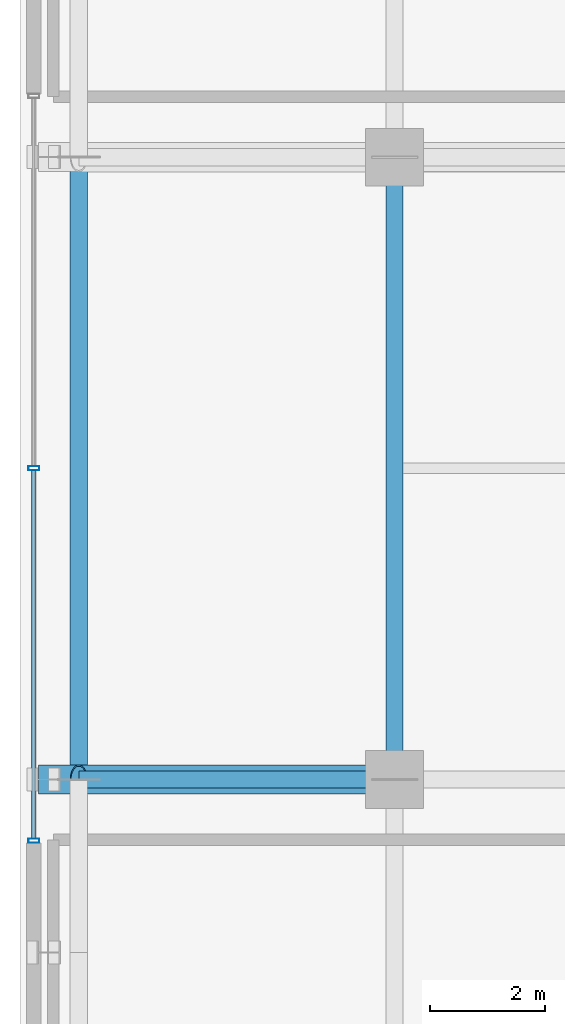
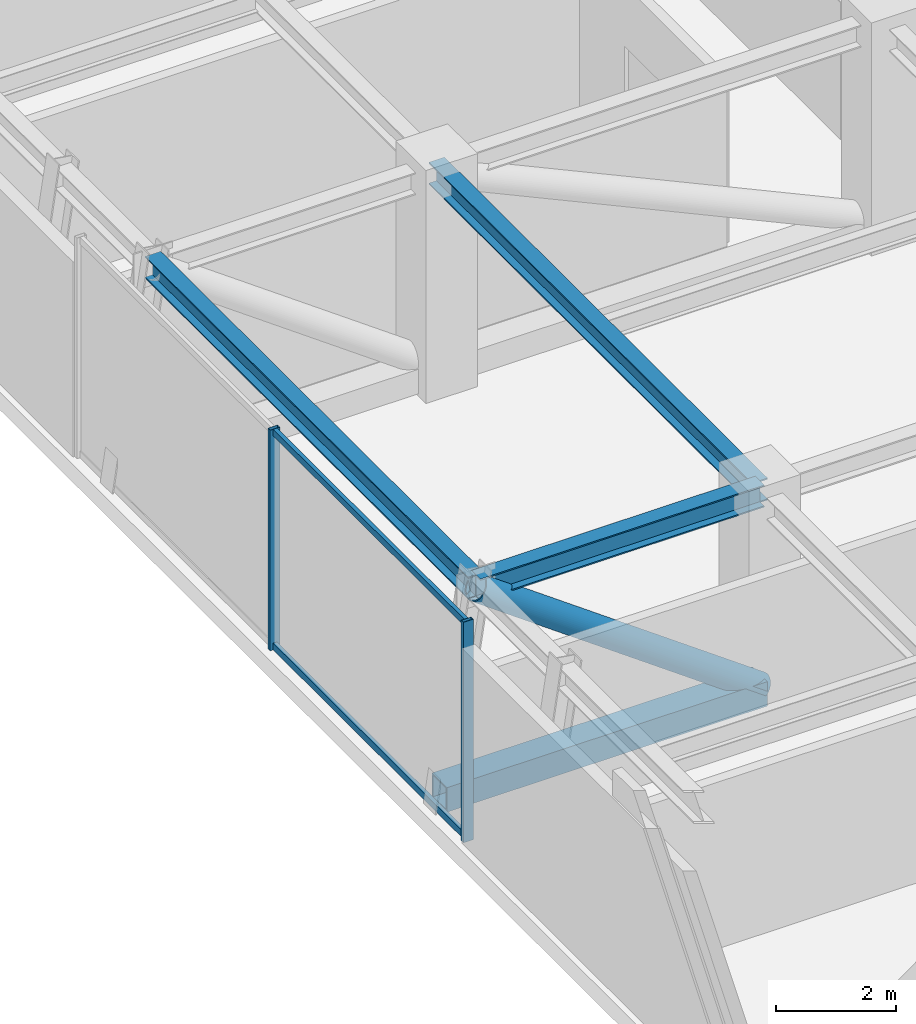
# One storey, part 2 of 15: 6 members, 3 beams, 1 element without a shape of its own.
"""IFC4 building model written with IfcOpenShell, lengths in metres."""

import ifcopenshell
import ifcopenshell.guid

model = None  # the IFC model being written
_history = None  # IfcOwnerHistory: only IFC2X3 demands one
_inside = {}  # id of a spatial element -> (the spatial element, [elements in it])
_under = {}  # id of a project, library or spatial element -> (it, [spatial elements below it])
_declared = {}  # id of a project -> (the project, [libraries it declares])
_typed = {}  # id of a type object -> (the type object, [elements of that type])
_made_of = {}  # id of a material, layer set ... -> (it, [elements and type objects made of it])


def new_model(schema):
    """Start an empty IFC model of exactly this schema.

    Asked for "IFC4X3", IfcOpenShell would pick the latest addendum, in which some entities
    have other attributes; the version numbers below select the first issue.
    IFC2X3 requires an IfcOwnerHistory on every rooted entity: one is made here for all.
    """
    global model, _history
    if schema == "IFC4X3":
        model = ifcopenshell.file(schema_version=(4, 3, 0, 0))
    else:
        model = ifcopenshell.file(schema=schema)
    _inside.clear()
    _under.clear()
    _declared.clear()
    _typed.clear()
    _made_of.clear()
    _history = None
    if model.schema == "IFC2X3":
        org = make("IfcOrganization", Name="unknown")
        user = make(
            "IfcPersonAndOrganization",
            ThePerson=make("IfcPerson", FamilyName="unknown"),
            TheOrganization=org,
        )
        app = make(
            "IfcApplication",
            ApplicationDeveloper=org,
            Version="unknown",
            ApplicationFullName="unknown",
            ApplicationIdentifier="unknown",
        )
        _history = make(
            "IfcOwnerHistory",
            OwningUser=user,
            OwningApplication=app,
            ChangeAction="ADDED",
            CreationDate=0,
        )
    return model


def make(cls, **values):
    """One entity of the class cls with the attributes given. An attribute that is None is left unset."""
    return model.create_entity(
        cls, **{name: value for name, value in values.items() if value is not None}
    )


def rooted(cls, **values):
    """An entity with a GlobalId (a new one), such as an element, a storey or a relation."""
    return make(cls, GlobalId=ifcopenshell.guid.new(), OwnerHistory=_history, **values)


def si_unit(unit_type, name, prefix=None):
    """IfcSIUnit, for example si_unit("LENGTHUNIT", "METRE", prefix="MILLI")."""
    return make("IfcSIUnit", UnitType=unit_type, Prefix=prefix, Name=name)


def assignment(units):
    """IfcUnitAssignment: the units of a project."""
    return None if units is None else make("IfcUnitAssignment", Units=units)


def point(xyz):
    """IfcCartesianPoint."""
    return None if xyz is None else make("IfcCartesianPoint", Coordinates=xyz)


def direction(xyz):
    """IfcDirection."""
    return None if xyz is None else make("IfcDirection", DirectionRatios=xyz)


def frame(location, z_axis=None, x_axis=None):
    """IfcAxis2Placement3D, a coordinate frame: its origin and axes. An axis left out is left unset."""
    return make(
        "IfcAxis2Placement3D",
        Location=point(location),
        Axis=direction(z_axis),
        RefDirection=direction(x_axis),
    )


def frame_2d(location, x_axis=None):
    """IfcAxis2Placement2D, a coordinate frame in the plane: its origin and x axis."""
    return make(
        "IfcAxis2Placement2D", Location=point(location), RefDirection=direction(x_axis)
    )


def origin():
    """The frame at (0, 0, 0) with its axes left unset."""
    return frame((0.0, 0.0, 0.0))


def origin_2d():
    """The frame at (0, 0) in the plane with its x axis left unset."""
    return frame_2d((0.0, 0.0))


def place(relative_to, where):
    """IfcLocalPlacement: puts the frame where relative to a parent placement (None: the world)."""
    return make(
        "IfcLocalPlacement", PlacementRelTo=relative_to, RelativePlacement=where
    )


def context(
    kind, dimensions, precision=None, world=None, true_north=None, identifier=None
):
    """IfcGeometricRepresentationContext, for example the 3D "Model" context."""
    return make(
        "IfcGeometricRepresentationContext",
        ContextIdentifier=identifier,
        ContextType=kind,
        CoordinateSpaceDimension=dimensions,
        Precision=precision,
        WorldCoordinateSystem=world,
        TrueNorth=true_north,
    )


def subcontext(parent, identifier, kind, view, scale=None):
    """IfcGeometricRepresentationSubContext, for example "Body" below "Model"."""
    return make(
        "IfcGeometricRepresentationSubContext",
        ContextIdentifier=identifier,
        ContextType=kind,
        ParentContext=parent,
        TargetScale=scale,
        TargetView=view,
    )


def project(units=None, contexts=None):
    """IfcProject with its units and contexts."""
    return rooted(
        "IfcProject",
        Name="project",
        RepresentationContexts=contexts,
        UnitsInContext=assignment(units),
    )


def spatial(cls, under=None, at=None, **own):
    """A site, building, storey or space (cls), placed at a placement, below another one or the project."""
    s = rooted(cls, ObjectPlacement=at, **own)
    if under is not None:
        _under.setdefault(under.id(), (under, []))[1].append(s)
    return s


def profile(cls, at=None, kind="AREA", **sizes):
    """A parametric profile (cls). Its sizes go by their IFC names, for example OverallWidth=200.0."""
    return make(cls, ProfileType=kind, Position=at, **sizes)


def hollow_rectangle(**sizes):
    """IfcRectangleHollowProfileDef."""
    return profile("IfcRectangleHollowProfileDef", **sizes)


def hollow_circle(**sizes):
    """IfcCircleHollowProfileDef."""
    return profile("IfcCircleHollowProfileDef", **sizes)


def i_section(**sizes):
    """IfcIShapeProfileDef."""
    return profile("IfcIShapeProfileDef", **sizes)


def extrude(swept, where, along, depth):
    """IfcExtrudedAreaSolid: the profile swept, set in the frame where, extruded along a direction by depth."""
    return make(
        "IfcExtrudedAreaSolid",
        SweptArea=swept,
        Position=where,
        ExtrudedDirection=direction(along),
        Depth=depth,
    )


def shape(context_of_items, identifier, shape_type, items):
    """IfcShapeRepresentation: the items that make up one representation, for example the "Body"."""
    return make(
        "IfcShapeRepresentation",
        ContextOfItems=context_of_items,
        RepresentationIdentifier=identifier,
        RepresentationType=shape_type,
        Items=items,
    )


def source(mapping_origin, context_of_items, identifier, shape_type, items):
    """IfcRepresentationMap: a shape defined once, which mapped items show again and again."""
    return make(
        "IfcRepresentationMap",
        MappingOrigin=mapping_origin,
        MappedRepresentation=shape(context_of_items, identifier, shape_type, items),
    )


def transform(
    local_origin,
    x_axis=None,
    y_axis=None,
    z_axis=None,
    scale=None,
    scale2=None,
    scale3=None,
    uniform=True,
):
    """IfcCartesianTransformationOperator3D, or its non-uniform kind. x_axis, y_axis, z_axis: its Axis1, 2, 3."""
    if uniform:
        return make(
            "IfcCartesianTransformationOperator3D",
            Axis1=direction(x_axis),
            Axis2=direction(y_axis),
            LocalOrigin=point(local_origin),
            Scale=scale,
            Axis3=direction(z_axis),
        )
    return make(
        "IfcCartesianTransformationOperator3DnonUniform",
        Axis1=direction(x_axis),
        Axis2=direction(y_axis),
        LocalOrigin=point(local_origin),
        Scale=scale,
        Axis3=direction(z_axis),
        Scale2=scale2,
        Scale3=scale3,
    )


def mapped(mapping_source, mapping_target):
    """IfcMappedItem: shows the shape of a source again, moved by a transform."""
    return make(
        "IfcMappedItem", MappingSource=mapping_source, MappingTarget=mapping_target
    )


def material(Name=None, Category=None):
    """IfcMaterial."""
    return make("IfcMaterial", Name=Name, Category=Category)


def material_profile(
    of_material, cross_section, Name=None, Category=None, Priority=None
):
    """IfcMaterialProfile: a cross section and its material."""
    return make(
        "IfcMaterialProfile",
        Name=Name,
        Material=of_material,
        Profile=cross_section,
        Priority=Priority,
        Category=Category,
    )


def profile_set(profiles, Name=None, composite=None):
    """IfcMaterialProfileSet."""
    return make(
        "IfcMaterialProfileSet",
        Name=Name,
        MaterialProfiles=profiles,
        CompositeProfile=composite,
    )


def made_of(thing, what):
    """Note that an element or type object is made of a material, layer set ...; save() writes the relation."""
    if what is not None:
        _made_of.setdefault(what.id(), (what, []))[1].append(thing)
    return thing


def type_object(cls, material=None, **own):
    """A type object (cls), such as IfcWallType, which elements share."""
    return made_of(rooted(cls, **own), material)


def element(
    cls,
    number,
    at=None,
    inside=None,
    cuts=None,
    type_object=None,
    material=None,
    context=None,
    identifier="Body",
    shape_type=None,
    held_by="IfcProductDefinitionShape",
    body=None,
    shapes=None,
    **own,
):
    """One element of the class cls, such as IfcWall. Its Tag is "e" and its number.

    at: its placement. inside: the storey or other place that contains it. cuts: it is an
    opening in that element (IfcRelVoidsElement). A single representation is given by context,
    identifier, shape_type and body (its items); several are given by shapes. held_by: the class
    of the entity that holds the representations. save() writes the other relations.
    """
    e = rooted(cls, Tag="e%d" % number, ObjectPlacement=at, **own)
    if body is not None:
        shapes = [shape(context, identifier, shape_type, body)]
    if shapes is not None:
        e.Representation = make(held_by, Representations=shapes)
    if inside is not None:
        _inside.setdefault(inside.id(), (inside, []))[1].append(e)
    if cuts is not None:
        rooted(
            "IfcRelVoidsElement", RelatingBuildingElement=cuts, RelatedOpeningElement=e
        )
    if type_object is not None:
        _typed.setdefault(type_object.id(), (type_object, []))[1].append(e)
    return made_of(e, material)


def aggregate(whole, parts):
    """IfcRelAggregates: a whole, such as a stair, and the parts it consists of."""
    return rooted("IfcRelAggregates", RelatingObject=whole, RelatedObjects=parts)


def save(model, path):
    """Write the relations noted so far, then the file.

    IfcRelAggregates (storeys below a building ...), IfcRelContainedInSpatialStructure (elements
    in a storey), IfcRelDefinesByType, IfcRelAssociatesMaterial and IfcRelDeclares: one each for
    every whole, place, type object, material and project.
    """
    for whole, parts in _under.values():
        aggregate(whole, parts)
    for where, things in _inside.values():
        rooted(
            "IfcRelContainedInSpatialStructure",
            RelatedElements=things,
            RelatingStructure=where,
        )
    for kind, things in _typed.values():
        rooted("IfcRelDefinesByType", RelatedObjects=things, RelatingType=kind)
    for what, things in _made_of.values():
        rooted("IfcRelAssociatesMaterial", RelatedObjects=things, RelatingMaterial=what)
    for by, libraries in _declared.values():
        rooted("IfcRelDeclares", RelatingContext=by, RelatedDefinitions=libraries)
    model.write(path)


model = new_model("IFC4")

# Units and contexts
model_context = context("Model", 3, precision=1e-05, world=origin(), true_north=direction((0.0, 1.0)))
body_context = subcontext(model_context, "Body", "Model", "MODEL_VIEW")
ifc_project = project(units=[si_unit("LENGTHUNIT", "METRE"), si_unit("AREAUNIT", "SQUARE_METRE"), si_unit("VOLUMEUNIT", "CUBIC_METRE"), si_unit("PLANEANGLEUNIT", "RADIAN"), si_unit("MASSUNIT", "GRAM", prefix="KILO")], contexts=[model_context])

# Site, building, storey
site_placement = place(None, origin())
site = spatial("IfcSite", under=ifc_project, at=site_placement, CompositionType="ELEMENT")
building_placement = place(site_placement, origin())
building = spatial("IfcBuilding", under=site, at=building_placement, Name="Nahalor Promenade Grand Hotel", CompositionType="ELEMENT")
storey_placement = place(building_placement, frame((0.0, 0.0, 261.5)))
storey = spatial("IfcBuildingStorey", under=building, at=storey_placement, Name="L67", CompositionType="ELEMENT", Elevation=261.5)

# Beams
ifc_material_1 = material(Name="Steel S355JR", Category="steel")
ifc_material_profile_1 = material_profile(ifc_material_1, i_section(OverallWidth=0.3, OverallDepth=0.45, WebThickness=0.014, FlangeThickness=0.026, at=origin_2d()), Name="HEB 450")
ifc_profile_set_1 = profile_set([ifc_material_profile_1], Name="Steel S355JR")
beam_type_1 = type_object("IfcBeamType", Name="Beam-Spandrel-HEB450", PredefinedType="SPANDREL", material=ifc_profile_set_1)
shared_shape_1 = source(origin(), body_context, "Body", "SweptSolid", [
    extrude(i_section(OverallWidth=0.3, OverallDepth=0.45, WebThickness=0.014, FlangeThickness=0.026, at=origin_2d()), origin(), (0.0, 0.0, 1.0), 10.7998046875),
])
beam_1_placement = place(storey_placement, frame((-22.47998046875, -5.39990234375, 4.27490234375), z_axis=(0.0, 1.0, 0.0), x_axis=(-1.0, 0.0, 0.0)))
element("IfcBeam", 1, at=beam_1_placement, inside=storey, type_object=beam_type_1, Name="BM-L67-SP-W-2", PredefinedType="SPANDREL", context=body_context, shape_type="MappedRepresentation", body=[
    mapped(shared_shape_1, transform((0.0, 0.0, 0.0), scale=1.0)),
])
ifc_material_profile_2 = material_profile(ifc_material_1, i_section(OverallWidth=0.3, OverallDepth=0.45, WebThickness=0.014, FlangeThickness=0.026, at=origin_2d()), Name="HEB 450")
ifc_profile_set_2 = profile_set([ifc_material_profile_2], Name="Steel S355JR")
beam_type_2 = type_object("IfcBeamType", Name="Beam-Girder-HEB450", PredefinedType="BEAM", material=ifc_profile_set_2)
shared_shape_2 = source(origin(), body_context, "Body", "SweptSolid", [
    extrude(i_section(OverallWidth=0.3, OverallDepth=0.45, WebThickness=0.014, FlangeThickness=0.026, at=origin_2d()), origin(), (0.0, 0.0, 1.0), 10.7998046875),
])
beam_2_placement = place(storey_placement, frame((-17.0, -5.39990234375, 4.27490234375), z_axis=(0.0, 1.0, 0.0), x_axis=(-1.0, 0.0, 0.0)))
element("IfcBeam", 2, at=beam_2_placement, inside=storey, type_object=beam_type_2, Name="BM-L67-GY-0-2", PredefinedType="BEAM", context=body_context, shape_type="MappedRepresentation", body=[
    mapped(shared_shape_2, transform((0.0, 0.0, 0.0), scale=1.0)),
])
shared_shape_3 = source(origin(), body_context, "Body", "SweptSolid", [
    extrude(i_section(OverallWidth=0.3, OverallDepth=0.45, WebThickness=0.014, FlangeThickness=0.026, at=origin_2d()), origin(), (0.0, 0.0, 1.0), 5.47998046875),
])
beam_3_placement = place(storey_placement, frame((-22.47998046875, -5.39990234375, 4.27490234375), z_axis=(1.0, 0.0, 0.0), x_axis=(0.0, 1.0, 0.0)))
element("IfcBeam", 3, at=beam_3_placement, inside=storey, type_object=beam_type_2, Name="BM-L67-GX-1-0", PredefinedType="BEAM", context=body_context, shape_type="MappedRepresentation", body=[
    mapped(shared_shape_3, transform((0.0, 0.0, 0.0), scale=1.0)),
])

# Members
ifc_material_2 = material(Name="Steel S355J2", Category="steel")
ifc_material_profile_3 = material_profile(ifc_material_2, hollow_circle(Radius=0.254, WallThickness=0.025, at=origin_2d()), Name="CHS 508x25")
ifc_profile_set_3 = profile_set([ifc_material_profile_3], Name="Steel S355J2")
member_type_1 = type_object("IfcMemberType", Name="Mem-OutDiag-CHS508", PredefinedType="BRACE", material=ifc_profile_set_3)
shared_shape_4 = source(origin(), body_context, "Body", "SweptSolid", [
    extrude(hollow_circle(Radius=0.254, WallThickness=0.025, at=origin_2d()), origin(), (0.0, 0.0, 1.0), 6.755126953125),
])
member_1_placement = place(storey_placement, frame((-17.0, -5.39990234375, 0.300048828125), z_axis=(-0.811227809451, 0.0, 0.5847302294), x_axis=(0.0, -1.0, 0.0)))
element("IfcMember", 4, at=member_1_placement, inside=storey, type_object=member_type_1, Name="OU-L67-W1-D1", PredefinedType="BRACE", context=body_context, shape_type="MappedRepresentation", body=[
    mapped(shared_shape_4, transform((0.0, 0.0, 0.0), scale=1.0)),
])
ifc_material_profile_4 = material_profile(ifc_material_2, hollow_rectangle(XDim=0.5, YDim=0.5, WallThickness=0.032, at=origin_2d()), Name="SHS 500x500x32")
ifc_profile_set_4 = profile_set([ifc_material_profile_4], Name="Steel S355J2")
member_type_2 = type_object("IfcMemberType", Name="Mem-Chord-SHS500", PredefinedType="CHORD", material=ifc_profile_set_4)
shared_shape_5 = source(origin(), body_context, "Body", "SweptSolid", [
    extrude(hollow_rectangle(XDim=0.5, YDim=0.5, WallThickness=0.032, at=origin_2d()), origin(), (0.0, 0.0, 1.0), 6.179931640625),
])
member_2_placement = place(storey_placement, frame((-17.0, -5.39990234375, 0.300048828125), z_axis=(-1.0, 0.0, 0.0), x_axis=(0.0, -1.0, 0.0)))
element("IfcMember", 5, at=member_2_placement, inside=storey, type_object=member_type_2, Name="OU-L67-W1-C1", PredefinedType="CHORD", context=body_context, shape_type="MappedRepresentation", body=[
    mapped(shared_shape_5, transform((0.0, 0.0, 0.0), scale=1.0)),
])

# Curtain wall, members
ifc_material_3 = material(Name="Anodised Bronze Aluminium EN AW-6063 T6", Category="aluminium")
curtain_wall_type = type_object("IfcCurtainWallType", Name="CW6 Crown Botanical Conservatory Curtain Wall", PredefinedType="USERDEFINED", material=ifc_material_3)
curtain_wall_placement = place(storey_placement, origin())
curtain_wall = element("IfcCurtainWall", 6, at=curtain_wall_placement, inside=storey, type_object=curtain_wall_type, Name="L67 Curtain Wall CW-L67-W", ObjectType="UNITISED_CURTAIN_WALL", PredefinedType="USERDEFINED")
ifc_material_profile_5 = material_profile(ifc_material_3, hollow_rectangle(XDim=0.075, YDim=0.135, WallThickness=0.004, at=origin_2d()), Name="CWT 75x135x4")
ifc_profile_set_5 = profile_set([ifc_material_profile_5], Name="Anodised Bronze Aluminium EN AW-6063 T6")
member_type_3 = type_object("IfcMemberType", Name="CWT6 Conservatory Transom 75x135", PredefinedType="USERDEFINED", material=ifc_profile_set_5)
shared_shape_6 = source(origin(), body_context, "Body", "SweptSolid", [
    extrude(hollow_rectangle(XDim=0.075, YDim=0.135, WallThickness=0.004, at=origin_2d()), origin(), (0.0, 0.0, 1.0), 6.387451171875),
])
member_3_placement = place(storey_placement, frame((-23.260009765625, -6.425048828125, 0.0673828125), z_axis=(0.0, 1.0, 0.0), x_axis=(-1.0, 0.0, 0.0)))
member_3 = element("IfcMember", 7, at=member_3_placement, type_object=member_type_3, Name="CW-L67-W Transom 0-0", ObjectType="TRANSOM", PredefinedType="USERDEFINED", context=body_context, shape_type="MappedRepresentation", body=[
    mapped(shared_shape_6, transform((0.0, 0.0, 0.0), scale=1.0)),
])
member_4_placement = place(storey_placement, frame((-23.260009765625, -6.425048828125, 4.4326171875), z_axis=(0.0, 1.0, 0.0), x_axis=(-1.0, 0.0, 0.0)))
member_4 = element("IfcMember", 8, at=member_4_placement, type_object=member_type_3, Name="CW-L67-W Transom 0-1", ObjectType="TRANSOM", PredefinedType="USERDEFINED", context=body_context, shape_type="MappedRepresentation", body=[
    mapped(shared_shape_6, transform((0.0, 0.0, 0.0), scale=1.0)),
])
ifc_material_profile_6 = material_profile(ifc_material_3, hollow_rectangle(XDim=0.075, YDim=0.19, WallThickness=0.005, at=origin_2d()), Name="CWM 75x190x5")
ifc_profile_set_6 = profile_set([ifc_material_profile_6], Name="Anodised Bronze Aluminium EN AW-6063 T6")
member_type_4 = type_object("IfcMemberType", Name="CWM6 Conservatory Bronze Mullion 75x190", PredefinedType="MULLION", material=ifc_profile_set_6)
shared_shape_7 = source(origin(), body_context, "Body", "SweptSolid", [
    extrude(hollow_rectangle(XDim=0.075, YDim=0.19, WallThickness=0.005, at=origin_2d()), origin(), (0.0, 0.0, 1.0), 4.5),
])
member_5_placement = place(storey_placement, frame((-23.260009765625, -6.46240234375, 0.0), z_axis=(0.0, 0.0, 1.0), x_axis=(0.0, 1.0, 0.0)))
member_5 = element("IfcMember", 9, at=member_5_placement, type_object=member_type_4, Name="CW-L67-W Mullion 0", PredefinedType="MULLION", context=body_context, shape_type="MappedRepresentation", body=[
    mapped(shared_shape_7, transform((0.0, 0.0, 0.0), scale=1.0)),
])
member_6_placement = place(storey_placement, frame((-23.260009765625, 0.0, 0.0), z_axis=(0.0, 0.0, 1.0), x_axis=(0.0, 1.0, 0.0)))
member_6 = element("IfcMember", 10, at=member_6_placement, type_object=member_type_4, Name="CW-L67-W Mullion 1", PredefinedType="MULLION", context=body_context, shape_type="MappedRepresentation", body=[
    mapped(shared_shape_7, transform((0.0, 0.0, 0.0), scale=1.0)),
])
aggregate(curtain_wall, [member_5, member_6, member_3, member_4])

save(model, "model.ifc")
